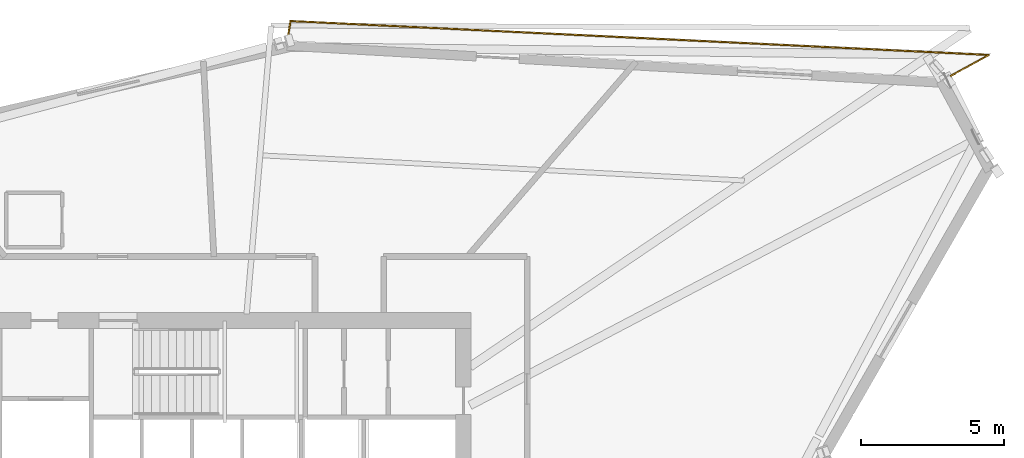
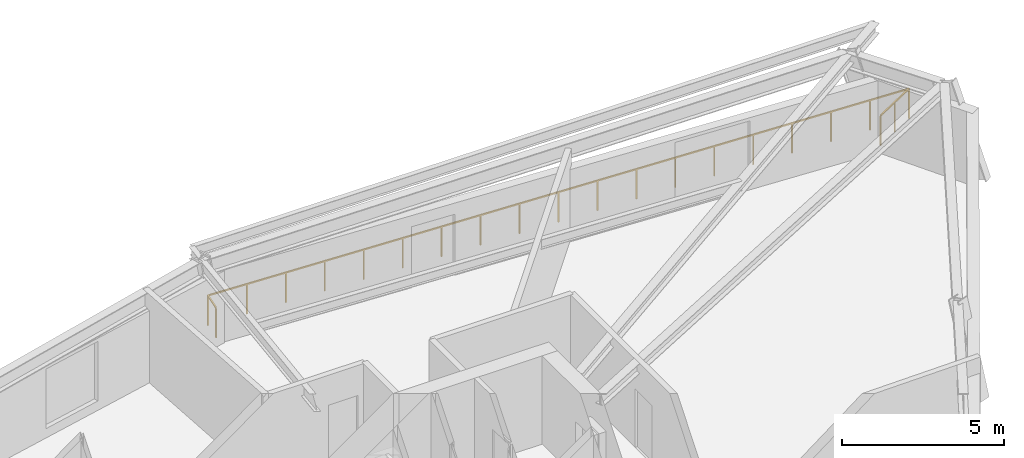
# One storey, part 15 of 15: 1 railing.
"""IFC4 building model written with IfcOpenShell, lengths in metres."""

import ifcopenshell
import ifcopenshell.guid

model = None  # the IFC model being written
_history = None  # IfcOwnerHistory: only IFC2X3 demands one
_inside = {}  # id of a spatial element -> (the spatial element, [elements in it])
_under = {}  # id of a project, library or spatial element -> (it, [spatial elements below it])
_declared = {}  # id of a project -> (the project, [libraries it declares])
_typed = {}  # id of a type object -> (the type object, [elements of that type])
_made_of = {}  # id of a material, layer set ... -> (it, [elements and type objects made of it])


def new_model(schema):
    """Start an empty IFC model of exactly this schema.

    Asked for "IFC4X3", IfcOpenShell would pick the latest addendum, in which some entities
    have other attributes; the version numbers below select the first issue.
    IFC2X3 requires an IfcOwnerHistory on every rooted entity: one is made here for all.
    """
    global model, _history
    if schema == "IFC4X3":
        model = ifcopenshell.file(schema_version=(4, 3, 0, 0))
    else:
        model = ifcopenshell.file(schema=schema)
    _inside.clear()
    _under.clear()
    _declared.clear()
    _typed.clear()
    _made_of.clear()
    _history = None
    if model.schema == "IFC2X3":
        org = make("IfcOrganization", Name="unknown")
        user = make(
            "IfcPersonAndOrganization",
            ThePerson=make("IfcPerson", FamilyName="unknown"),
            TheOrganization=org,
        )
        app = make(
            "IfcApplication",
            ApplicationDeveloper=org,
            Version="unknown",
            ApplicationFullName="unknown",
            ApplicationIdentifier="unknown",
        )
        _history = make(
            "IfcOwnerHistory",
            OwningUser=user,
            OwningApplication=app,
            ChangeAction="ADDED",
            CreationDate=0,
        )
    return model


def make(cls, **values):
    """One entity of the class cls with the attributes given. An attribute that is None is left unset."""
    return model.create_entity(
        cls, **{name: value for name, value in values.items() if value is not None}
    )


def rooted(cls, **values):
    """An entity with a GlobalId (a new one), such as an element, a storey or a relation."""
    return make(cls, GlobalId=ifcopenshell.guid.new(), OwnerHistory=_history, **values)


def si_unit(unit_type, name, prefix=None):
    """IfcSIUnit, for example si_unit("LENGTHUNIT", "METRE", prefix="MILLI")."""
    return make("IfcSIUnit", UnitType=unit_type, Prefix=prefix, Name=name)


def assignment(units):
    """IfcUnitAssignment: the units of a project."""
    return None if units is None else make("IfcUnitAssignment", Units=units)


def point(xyz):
    """IfcCartesianPoint."""
    return None if xyz is None else make("IfcCartesianPoint", Coordinates=xyz)


def direction(xyz):
    """IfcDirection."""
    return None if xyz is None else make("IfcDirection", DirectionRatios=xyz)


def frame(location, z_axis=None, x_axis=None):
    """IfcAxis2Placement3D, a coordinate frame: its origin and axes. An axis left out is left unset."""
    return make(
        "IfcAxis2Placement3D",
        Location=point(location),
        Axis=direction(z_axis),
        RefDirection=direction(x_axis),
    )


def frame_2d(location, x_axis=None):
    """IfcAxis2Placement2D, a coordinate frame in the plane: its origin and x axis."""
    return make(
        "IfcAxis2Placement2D", Location=point(location), RefDirection=direction(x_axis)
    )


def origin():
    """The frame at (0, 0, 0) with its axes left unset."""
    return frame((0.0, 0.0, 0.0))


def origin_2d():
    """The frame at (0, 0) in the plane with its x axis left unset."""
    return frame_2d((0.0, 0.0))


def place(relative_to, where):
    """IfcLocalPlacement: puts the frame where relative to a parent placement (None: the world)."""
    return make(
        "IfcLocalPlacement", PlacementRelTo=relative_to, RelativePlacement=where
    )


def context(
    kind, dimensions, precision=None, world=None, true_north=None, identifier=None
):
    """IfcGeometricRepresentationContext, for example the 3D "Model" context."""
    return make(
        "IfcGeometricRepresentationContext",
        ContextIdentifier=identifier,
        ContextType=kind,
        CoordinateSpaceDimension=dimensions,
        Precision=precision,
        WorldCoordinateSystem=world,
        TrueNorth=true_north,
    )


def subcontext(parent, identifier, kind, view, scale=None):
    """IfcGeometricRepresentationSubContext, for example "Body" below "Model"."""
    return make(
        "IfcGeometricRepresentationSubContext",
        ContextIdentifier=identifier,
        ContextType=kind,
        ParentContext=parent,
        TargetScale=scale,
        TargetView=view,
    )


def project(units=None, contexts=None):
    """IfcProject with its units and contexts."""
    return rooted(
        "IfcProject",
        Name="project",
        RepresentationContexts=contexts,
        UnitsInContext=assignment(units),
    )


def spatial(cls, under=None, at=None, **own):
    """A site, building, storey or space (cls), placed at a placement, below another one or the project."""
    s = rooted(cls, ObjectPlacement=at, **own)
    if under is not None:
        _under.setdefault(under.id(), (under, []))[1].append(s)
    return s


def profile(cls, at=None, kind="AREA", **sizes):
    """A parametric profile (cls). Its sizes go by their IFC names, for example OverallWidth=200.0."""
    return make(cls, ProfileType=kind, Position=at, **sizes)


def rectangle(**sizes):
    """IfcRectangleProfileDef."""
    return profile("IfcRectangleProfileDef", **sizes)


def extrude(swept, where, along, depth):
    """IfcExtrudedAreaSolid: the profile swept, set in the frame where, extruded along a direction by depth."""
    return make(
        "IfcExtrudedAreaSolid",
        SweptArea=swept,
        Position=where,
        ExtrudedDirection=direction(along),
        Depth=depth,
    )


def shape(context_of_items, identifier, shape_type, items):
    """IfcShapeRepresentation: the items that make up one representation, for example the "Body"."""
    return make(
        "IfcShapeRepresentation",
        ContextOfItems=context_of_items,
        RepresentationIdentifier=identifier,
        RepresentationType=shape_type,
        Items=items,
    )


def material(Name=None, Category=None):
    """IfcMaterial."""
    return make("IfcMaterial", Name=Name, Category=Category)


def made_of(thing, what):
    """Note that an element or type object is made of a material, layer set ...; save() writes the relation."""
    if what is not None:
        _made_of.setdefault(what.id(), (what, []))[1].append(thing)
    return thing


def type_object(cls, material=None, **own):
    """A type object (cls), such as IfcWallType, which elements share."""
    return made_of(rooted(cls, **own), material)


def element(
    cls,
    number,
    at=None,
    inside=None,
    cuts=None,
    type_object=None,
    material=None,
    context=None,
    identifier="Body",
    shape_type=None,
    held_by="IfcProductDefinitionShape",
    body=None,
    shapes=None,
    **own,
):
    """One element of the class cls, such as IfcWall. Its Tag is "e" and its number.

    at: its placement. inside: the storey or other place that contains it. cuts: it is an
    opening in that element (IfcRelVoidsElement). A single representation is given by context,
    identifier, shape_type and body (its items); several are given by shapes. held_by: the class
    of the entity that holds the representations. save() writes the other relations.
    """
    e = rooted(cls, Tag="e%d" % number, ObjectPlacement=at, **own)
    if body is not None:
        shapes = [shape(context, identifier, shape_type, body)]
    if shapes is not None:
        e.Representation = make(held_by, Representations=shapes)
    if inside is not None:
        _inside.setdefault(inside.id(), (inside, []))[1].append(e)
    if cuts is not None:
        rooted(
            "IfcRelVoidsElement", RelatingBuildingElement=cuts, RelatedOpeningElement=e
        )
    if type_object is not None:
        _typed.setdefault(type_object.id(), (type_object, []))[1].append(e)
    return made_of(e, material)


def aggregate(whole, parts):
    """IfcRelAggregates: a whole, such as a stair, and the parts it consists of."""
    return rooted("IfcRelAggregates", RelatingObject=whole, RelatedObjects=parts)


def save(model, path):
    """Write the relations noted so far, then the file.

    IfcRelAggregates (storeys below a building ...), IfcRelContainedInSpatialStructure (elements
    in a storey), IfcRelDefinesByType, IfcRelAssociatesMaterial and IfcRelDeclares: one each for
    every whole, place, type object, material and project.
    """
    for whole, parts in _under.values():
        aggregate(whole, parts)
    for where, things in _inside.values():
        rooted(
            "IfcRelContainedInSpatialStructure",
            RelatedElements=things,
            RelatingStructure=where,
        )
    for kind, things in _typed.values():
        rooted("IfcRelDefinesByType", RelatedObjects=things, RelatingType=kind)
    for what, things in _made_of.values():
        rooted("IfcRelAssociatesMaterial", RelatedObjects=things, RelatingMaterial=what)
    for by, libraries in _declared.values():
        rooted("IfcRelDeclares", RelatingContext=by, RelatedDefinitions=libraries)
    model.write(path)


model = new_model("IFC4")

# Units and contexts
model_context = context("Model", 3, precision=1e-05, world=origin(), true_north=direction((0.0, 1.0)))
body_context = subcontext(model_context, "Body", "Model", "MODEL_VIEW")
ifc_project = project(units=[si_unit("LENGTHUNIT", "METRE"), si_unit("AREAUNIT", "SQUARE_METRE"), si_unit("VOLUMEUNIT", "CUBIC_METRE"), si_unit("PLANEANGLEUNIT", "RADIAN"), si_unit("MASSUNIT", "GRAM", prefix="KILO")], contexts=[model_context])

# Site, building, storey
site_placement = place(None, origin())
site = spatial("IfcSite", under=ifc_project, at=site_placement, CompositionType="ELEMENT")
building_placement = place(site_placement, origin())
building = spatial("IfcBuilding", under=site, at=building_placement, Name="Olszyna Solenne Hotel", CompositionType="ELEMENT")
storey_placement = place(building_placement, frame((0.0, 0.0, 157.25)))
storey = spatial("IfcBuildingStorey", under=building, at=storey_placement, Name="L41", CompositionType="ELEMENT", Elevation=157.25)

# Railing
ifc_material = material(Name="Anodised bronze aluminium", Category="aluminium")
railing_type = type_object("IfcRailingType", Name="GR-110", PredefinedType="BALUSTRADE", material=ifc_material)
railing_placement = place(storey_placement, frame((63.012451171875, 42.415771484375, 0.0)))
element("IfcRailing", 1, at=railing_placement, inside=storey, type_object=railing_type, Name="Loggia balcony balustrade guard GR-L41-LG1", PredefinedType="BALUSTRADE", context=body_context, shape_type="SweptSolid", body=[
    extrude(rectangle(XDim=0.048095703125, YDim=0.048095703125, at=origin_2d()), frame((0.0, 0.0, 1.1259765625), z_axis=(0.876130594746, 0.482073833505, 0.0), x_axis=(-0.482073833505, 0.876130594746, 0.0)), (0.0, 0.0, 1.0), 1.69189453125),
    extrude(rectangle(XDim=0.048095703125, YDim=0.048095703125, at=origin_2d()), frame((1.482421875, 0.815673828125, 1.1259765625), z_axis=(-0.998824921201, 0.048464180453, 0.0), x_axis=(-0.048464180453, -0.998824921201, 0.0)), (0.0, 0.0, 1.0), 24.37158203125),
    extrude(rectangle(XDim=0.048095703125, YDim=0.048095703125, at=origin_2d()), frame((-22.860595703125, 1.996826171875, 1.1259765625), z_axis=(-0.164175728662, -0.986431107639, 0.0), x_axis=(0.986431107639, -0.164175728662, 0.0)), (0.0, 0.0, 1.0), 0.709228515625),
    extrude(rectangle(XDim=0.0419921875, YDim=0.0419921875, at=origin_2d()), origin(), (0.0, 0.0, 1.0), 1.101806640625),
    extrude(rectangle(XDim=0.0419921875, YDim=0.0419921875, at=origin_2d()), frame((0.7412109375, 0.40771484375, 0.0)), (0.0, 0.0, 1.0), 1.101806640625),
    extrude(rectangle(XDim=0.0419921875, YDim=0.0419921875, at=origin_2d()), frame((1.482421875, 0.815673828125, 0.0)), (0.0, 0.0, 1.0), 1.101806640625),
    extrude(rectangle(XDim=0.0419921875, YDim=0.0419921875, at=origin_2d()), frame((0.130126953125, 0.88134765625, 0.0)), (0.0, 0.0, 1.0), 1.101806640625),
    extrude(rectangle(XDim=0.0419921875, YDim=0.0419921875, at=origin_2d()), frame((-1.222412109375, 0.947021484375, 0.0)), (0.0, 0.0, 1.0), 1.101806640625),
    extrude(rectangle(XDim=0.0419921875, YDim=0.0419921875, at=origin_2d()), frame((-2.57470703125, 1.012451171875, 0.0)), (0.0, 0.0, 1.0), 1.101806640625),
    extrude(rectangle(XDim=0.0419921875, YDim=0.0419921875, at=origin_2d()), frame((-3.92724609375, 1.078125, 0.0)), (0.0, 0.0, 1.0), 1.101806640625),
    extrude(rectangle(XDim=0.0419921875, YDim=0.0419921875, at=origin_2d()), frame((-5.279541015625, 1.143798828125, 0.0)), (0.0, 0.0, 1.0), 1.101806640625),
    extrude(rectangle(XDim=0.0419921875, YDim=0.0419921875, at=origin_2d()), frame((-6.6318359375, 1.20947265625, 0.0)), (0.0, 0.0, 1.0), 1.101806640625),
    extrude(rectangle(XDim=0.0419921875, YDim=0.0419921875, at=origin_2d()), frame((-7.984375, 1.27490234375, 0.0)), (0.0, 0.0, 1.0), 1.101806640625),
    extrude(rectangle(XDim=0.0419921875, YDim=0.0419921875, at=origin_2d()), frame((-9.336669921875, 1.340576171875, 0.0)), (0.0, 0.0, 1.0), 1.101806640625),
    extrude(rectangle(XDim=0.0419921875, YDim=0.0419921875, at=origin_2d()), frame((-10.68896484375, 1.40625, 0.0)), (0.0, 0.0, 1.0), 1.101806640625),
    extrude(rectangle(XDim=0.0419921875, YDim=0.0419921875, at=origin_2d()), frame((-12.04150390625, 1.471923828125, 0.0)), (0.0, 0.0, 1.0), 1.101806640625),
    extrude(rectangle(XDim=0.0419921875, YDim=0.0419921875, at=origin_2d()), frame((-13.393798828125, 1.53759765625, 0.0)), (0.0, 0.0, 1.0), 1.101806640625),
    extrude(rectangle(XDim=0.0419921875, YDim=0.0419921875, at=origin_2d()), frame((-14.746337890625, 1.60302734375, 0.0)), (0.0, 0.0, 1.0), 1.101806640625),
    extrude(rectangle(XDim=0.0419921875, YDim=0.0419921875, at=origin_2d()), frame((-16.0986328125, 1.668701171875, 0.0)), (0.0, 0.0, 1.0), 1.101806640625),
    extrude(rectangle(XDim=0.0419921875, YDim=0.0419921875, at=origin_2d()), frame((-17.450927734375, 1.734375, 0.0)), (0.0, 0.0, 1.0), 1.101806640625),
    extrude(rectangle(XDim=0.0419921875, YDim=0.0419921875, at=origin_2d()), frame((-18.803466796875, 1.800048828125, 0.0)), (0.0, 0.0, 1.0), 1.101806640625),
    extrude(rectangle(XDim=0.0419921875, YDim=0.0419921875, at=origin_2d()), frame((-20.15576171875, 1.865478515625, 0.0)), (0.0, 0.0, 1.0), 1.101806640625),
    extrude(rectangle(XDim=0.0419921875, YDim=0.0419921875, at=origin_2d()), frame((-21.50830078125, 1.93115234375, 0.0)), (0.0, 0.0, 1.0), 1.101806640625),
    extrude(rectangle(XDim=0.0419921875, YDim=0.0419921875, at=origin_2d()), frame((-22.860595703125, 1.996826171875, 0.0)), (0.0, 0.0, 1.0), 1.101806640625),
    extrude(rectangle(XDim=0.0419921875, YDim=0.0419921875, at=origin_2d()), frame((-22.97705078125, 1.297119140625, 0.0)), (0.0, 0.0, 1.0), 1.101806640625),
])

save(model, "model.ifc")
